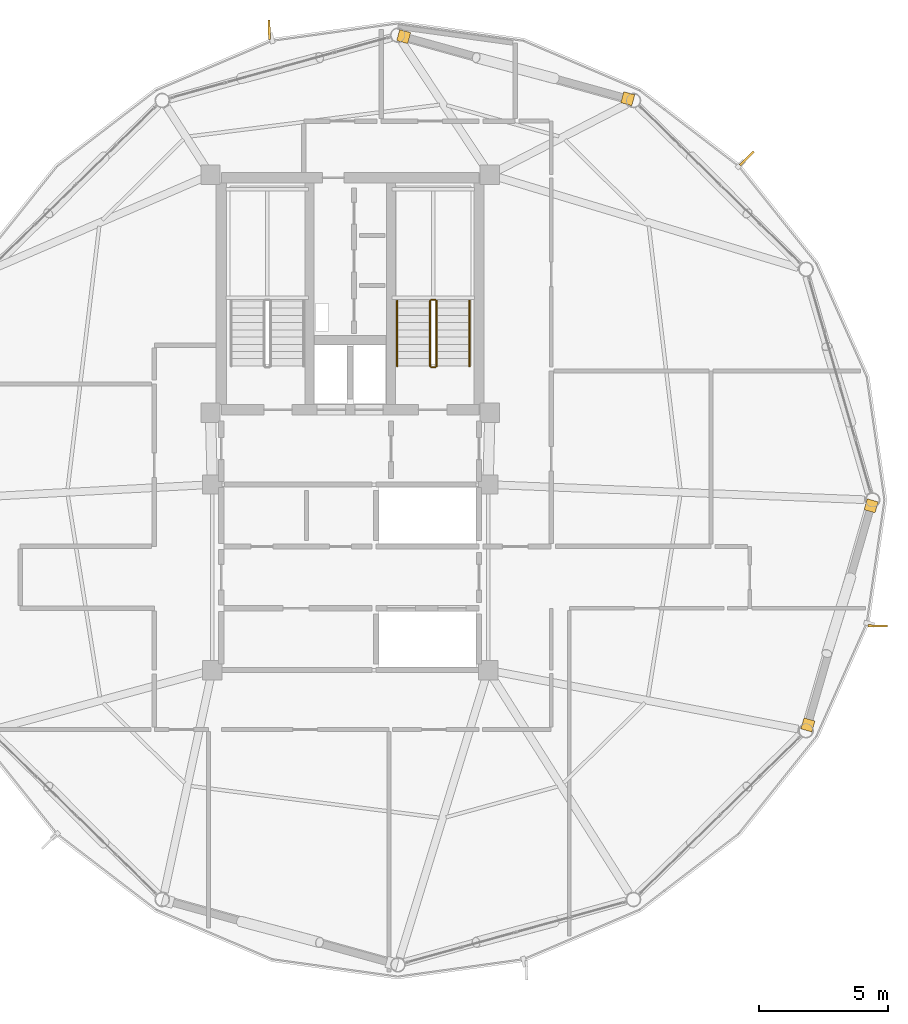
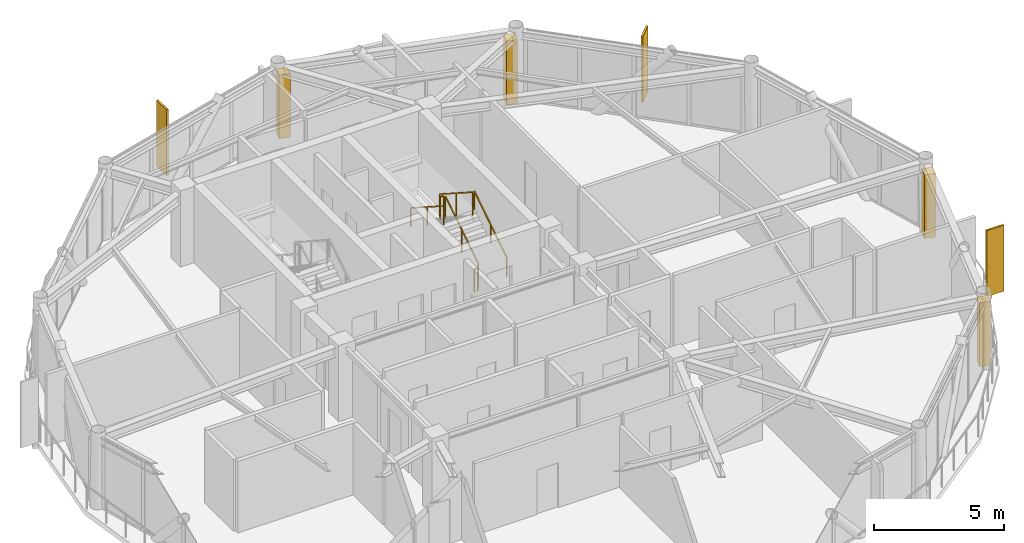
# One storey, part 25 of 25: 6 railings, 4 coverings, 3 shading devices.
"""IFC4 building model written with IfcOpenShell, lengths in metres."""

from ifc_helpers import new_model, si_unit, direction, frame, origin, origin_2d, place, context, subcontext, project, spatial, rectangle, extrude, source, transform, mapped, material, layer, layer_set, type_object, type_shapes, element, save


model = new_model("IFC4")

# Units and contexts
model_context = context("Model", 3, precision=1e-05, world=origin(), true_north=direction((0.0, 1.0)))
body_context = subcontext(model_context, "Body", "Model", "MODEL_VIEW")
ifc_project = project(units=[si_unit("LENGTHUNIT", "METRE"), si_unit("AREAUNIT", "SQUARE_METRE"), si_unit("VOLUMEUNIT", "CUBIC_METRE"), si_unit("PLANEANGLEUNIT", "RADIAN"), si_unit("MASSUNIT", "GRAM", prefix="KILO")], contexts=[model_context])

# Site, building, storey
site_placement = place(None, origin())
site = spatial("IfcSite", under=ifc_project, at=site_placement, CompositionType="ELEMENT")
building_placement = place(site_placement, origin())
building = spatial("IfcBuilding", under=site, at=building_placement, Name="Varnakorn Sky Granary", CompositionType="ELEMENT")
storey_placement = place(building_placement, frame((0.0, 0.0, 252.60009765625)))
storey = spatial("IfcBuildingStorey", under=building, at=storey_placement, Name="L64", CompositionType="ELEMENT", Elevation=252.60009765625)

# Railings
ifc_material_1 = material(Name="Brushed Stainless Steel 316", Category="steel")
railing_type_1 = type_object("IfcRailingType", Name="RL-STAIR-1100", PredefinedType="GUARDRAIL", material=ifc_material_1)
railing_1_placement = place(storey_placement, frame((6.35009765625, 5.199951171875, 0.179931640625)))
element("IfcRailing", 1, at=railing_1_placement, inside=storey, type_object=railing_type_1, Name="L64 ST-2 stair guard 1", PredefinedType="GUARDRAIL", context=body_context, shape_type="SweptSolid", body=[
    extrude(rectangle(XDim=0.048095703125, YDim=0.048095703125, at=origin_2d()), frame((0.0, 0.0, 1.076171875), z_axis=(0.0, 0.841199657755, 0.540724639528), x_axis=(-1.0, 0.0, 0.0)), (0.0, 0.0, 1.0), 2.995849609375),
    extrude(rectangle(XDim=0.0419921875, YDim=0.0419921875, at=origin_2d()), origin(), (0.0, 0.0, 1.0), 1.048095703125),
    extrude(rectangle(XDim=0.0419921875, YDim=0.0419921875, at=origin_2d()), frame((0.0, 1.260009765625, 0.81005859375)), (0.0, 0.0, 1.0), 1.048095703125),
    extrude(rectangle(XDim=0.0419921875, YDim=0.0419921875, at=origin_2d()), frame((0.0, 2.52001953125, 1.619873046875)), (0.0, 0.0, 1.0), 1.048095703125),
])
railing_2_placement = place(storey_placement, frame((6.300048828125, 7.77001953125, 1.7998046875)))
element("IfcRailing", 2, at=railing_2_placement, inside=storey, type_object=railing_type_1, Name="L64 ST-2 stair guard 2", PredefinedType="GUARDRAIL", context=body_context, shape_type="SweptSolid", body=[
    extrude(rectangle(XDim=0.048095703125, YDim=0.048095703125, at=origin_2d()), frame((0.0, 0.0, 1.076171875), z_axis=(-1.0, 0.0, 0.0), x_axis=(0.0, -1.0, 0.0)), (0.0, 0.0, 1.0), 0.150146484375),
    extrude(rectangle(XDim=0.0419921875, YDim=0.0419921875, at=origin_2d()), origin(), (0.0, 0.0, 1.0), 1.048095703125),
    extrude(rectangle(XDim=0.0419921875, YDim=0.0419921875, at=origin_2d()), frame((-0.150146484375, 0.0, 0.0)), (0.0, 0.0, 1.0), 1.048095703125),
])
railing_3_placement = place(storey_placement, frame((6.10009765625, 7.719970703125, 1.97998046875)))
element("IfcRailing", 3, at=railing_3_placement, inside=storey, type_object=railing_type_1, Name="L64 ST-2 stair guard 3", PredefinedType="GUARDRAIL", context=body_context, shape_type="SweptSolid", body=[
    extrude(rectangle(XDim=0.048095703125, YDim=0.048095703125, at=origin_2d()), frame((0.0, 0.0, 1.076171875), z_axis=(0.0, -0.841199657755, 0.540724639528), x_axis=(1.0, 0.0, 0.0)), (0.0, 0.0, 1.0), 2.995849609375),
    extrude(rectangle(XDim=0.0419921875, YDim=0.0419921875, at=origin_2d()), origin(), (0.0, 0.0, 1.0), 1.048095703125),
    extrude(rectangle(XDim=0.0419921875, YDim=0.0419921875, at=origin_2d()), frame((0.0, -1.260009765625, 0.81005859375)), (0.0, 0.0, 1.0), 1.048095703125),
    extrude(rectangle(XDim=0.0419921875, YDim=0.0419921875, at=origin_2d()), frame((0.0, -2.52001953125, 1.619873046875)), (0.0, 0.0, 1.0), 1.048095703125),
])
railing_4_placement = place(storey_placement, frame((6.300048828125, 5.14990234375, 0.0)))
element("IfcRailing", 4, at=railing_4_placement, inside=storey, type_object=railing_type_1, Name="L64 ST-2 stair guard 4", PredefinedType="GUARDRAIL", context=body_context, shape_type="SweptSolid", body=[
    extrude(rectangle(XDim=0.048095703125, YDim=0.048095703125, at=origin_2d()), frame((0.0, 0.0, 1.076171875), z_axis=(-1.0, 0.0, 0.0), x_axis=(0.0, -1.0, 0.0)), (0.0, 0.0, 1.0), 0.150146484375),
    extrude(rectangle(XDim=0.0419921875, YDim=0.0419921875, at=origin_2d()), origin(), (0.0, 0.0, 1.0), 1.048095703125),
    extrude(rectangle(XDim=0.0419921875, YDim=0.0419921875, at=origin_2d()), frame((-0.150146484375, 0.0, 0.0)), (0.0, 0.0, 1.0), 1.048095703125),
])
railing_type_2 = type_object("IfcRailingType", Name="RL-STAIR-920", PredefinedType="HANDRAIL", material=ifc_material_1)
railing_5_placement = place(storey_placement, frame((7.6298828125, 5.199951171875, 0.179931640625)))
element("IfcRailing", 5, at=railing_5_placement, inside=storey, type_object=railing_type_2, Name="L64 ST-2 stair handrail 1", PredefinedType="HANDRAIL", context=body_context, shape_type="SweptSolid", body=[
    extrude(rectangle(XDim=0.048095703125, YDim=0.048095703125, at=origin_2d()), frame((0.0, 0.0, 0.8759765625), z_axis=(0.0, 0.841199657755, 0.540724639528), x_axis=(-1.0, 0.0, 0.0)), (0.0, 0.0, 1.0), 2.995849609375),
    extrude(rectangle(XDim=0.0419921875, YDim=0.0419921875, at=origin_2d()), origin(), (0.0, 0.0, 1.0), 0.847900390625),
    extrude(rectangle(XDim=0.0419921875, YDim=0.0419921875, at=origin_2d()), frame((0.0, 1.260009765625, 0.81005859375)), (0.0, 0.0, 1.0), 0.847900390625),
    extrude(rectangle(XDim=0.0419921875, YDim=0.0419921875, at=origin_2d()), frame((0.0, 2.52001953125, 1.619873046875)), (0.0, 0.0, 1.0), 0.847900390625),
])
railing_6_placement = place(storey_placement, frame((4.820068359375, 7.719970703125, 1.97998046875)))
element("IfcRailing", 6, at=railing_6_placement, inside=storey, type_object=railing_type_2, Name="L64 ST-2 stair handrail 2", PredefinedType="HANDRAIL", context=body_context, shape_type="SweptSolid", body=[
    extrude(rectangle(XDim=0.048095703125, YDim=0.048095703125, at=origin_2d()), frame((0.0, 0.0, 0.8759765625), z_axis=(0.0, -0.841199657755, 0.540724639528), x_axis=(1.0, 0.0, 0.0)), (0.0, 0.0, 1.0), 2.995849609375),
    extrude(rectangle(XDim=0.0419921875, YDim=0.0419921875, at=origin_2d()), origin(), (0.0, 0.0, 1.0), 0.847900390625),
    extrude(rectangle(XDim=0.0419921875, YDim=0.0419921875, at=origin_2d()), frame((0.0, -1.260009765625, 0.81005859375)), (0.0, 0.0, 1.0), 0.847900390625),
    extrude(rectangle(XDim=0.0419921875, YDim=0.0419921875, at=origin_2d()), frame((0.0, -2.52001953125, 1.619873046875)), (0.0, 0.0, 1.0), 0.847900390625),
])

# Coverings
ifc_material_2 = material(Name="Anodised Bronze Aluminium Alloy 6063-T6", Category="aluminium")
ifc_layer = layer(ifc_material_2, 0.050048828125, Name="Anodised Bronze Aluminium Alloy 6063-T6")
ifc_layer_set = layer_set([ifc_layer], Name="Anodised Bronze Aluminium Alloy 6063-T6")
covering_type = type_object("IfcCoveringType", Name="CV-CLAD-50", PredefinedType="CLADDING", material=ifc_layer_set)
shared_shape_1 = source(origin(), body_context, "Body", "SweptSolid", [
    extrude(rectangle(XDim=0.43994140625, YDim=0.43994140625, at=origin_2d()), origin(), (0.0, 0.0, 1.0), 2.989990234375),
])
type_shapes(covering_type, [shared_shape_1])
for number, where, z_axis, x_axis, name in (
    (7, (5.075927734375, 17.976318359375, -0.02001953125), (0.0, 0.0, 1.0), (0.96372367829, -0.26690198932, 0.0), "Bronze Corner Pilaster Closure L64-P03-A"),
    (8, (13.77001953125, 15.56787109375, -0.02001953125), (0.0, 0.0, 1.0), (0.96372367829, -0.26690198932, 0.0), "Bronze Corner Pilaster Closure L64-P03-B"),
    (9, (23.2119140625, -0.225341796875, -0.02001953125), (0.0, 0.0, 1.0), (-0.277482336674, -0.960730738987, 0.0), "Bronze Corner Pilaster Closure L64-P12-A"),
    (10, (20.75634765625, -8.726806640625, -0.02001953125), (0.0, 0.0, 1.0), (-0.277482336674, -0.960730738987, 0.0), "Bronze Corner Pilaster Closure L64-P12-B"),
):
    element("IfcCovering", number, at=place(storey_placement, frame(where, z_axis=z_axis, x_axis=x_axis)), inside=storey, type_object=covering_type, Name=name, PredefinedType="CLADDING", context=body_context, shape_type="MappedRepresentation", body=[
        mapped(shared_shape_1, transform((0.0, 0.0, 0.0), x_axis=(1.0, 0.0, 0.0), y_axis=(0.0, 1.0, 0.0), z_axis=(0.0, 0.0, 1.0), scale=1.0)),
    ])

# Shading devices
shading_device_type = type_object("IfcShadingDeviceType", Name="SH-FIN-03", PredefinedType="USERDEFINED", material=ifc_material_2)
shared_shape_2 = source(origin(), body_context, "Body", "SweptSolid", [
    extrude(rectangle(XDim=0.0849609375, YDim=0.760009765625, at=origin_2d()), origin(), (0.0, 0.0, 1.0), 3.10009765625),
])
type_shapes(shading_device_type, [shared_shape_2])
for number, where, z_axis, x_axis, name in (
    (11, (18.38525390625, 13.254150390625, -0.0400390625), (0.0, 0.0, 1.0), (-0.703822981086, 0.710375401668, 0.0), "Bronze Solar-Tracking Vertical Blade FIN L64-02"),
    (12, (-0.140380859375, 18.239990234375, -0.0400390625), (0.0, 0.0, 1.0), (-0.999643618199, -0.026695254149, 0.0), "Bronze Solar-Tracking Vertical Blade FIN L64-04"),
    (13, (23.4658203125, -4.88525390625, -0.0400390625), (0.0, 0.0, 1.0), (0.013367855975, 0.999910646221, 0.0), "Bronze Solar-Tracking Vertical Blade FIN L64-12"),
):
    element("IfcShadingDevice", number, at=place(storey_placement, frame(where, z_axis=z_axis, x_axis=x_axis)), inside=storey, type_object=shading_device_type, Name=name, ObjectType="FIN", PredefinedType="USERDEFINED", context=body_context, shape_type="MappedRepresentation", body=[
        mapped(shared_shape_2, transform((0.0, 0.0, 0.0), x_axis=(1.0, 0.0, 0.0), y_axis=(0.0, 1.0, 0.0), z_axis=(0.0, 0.0, 1.0), scale=1.0)),
    ])

save(model, "model.ifc")
